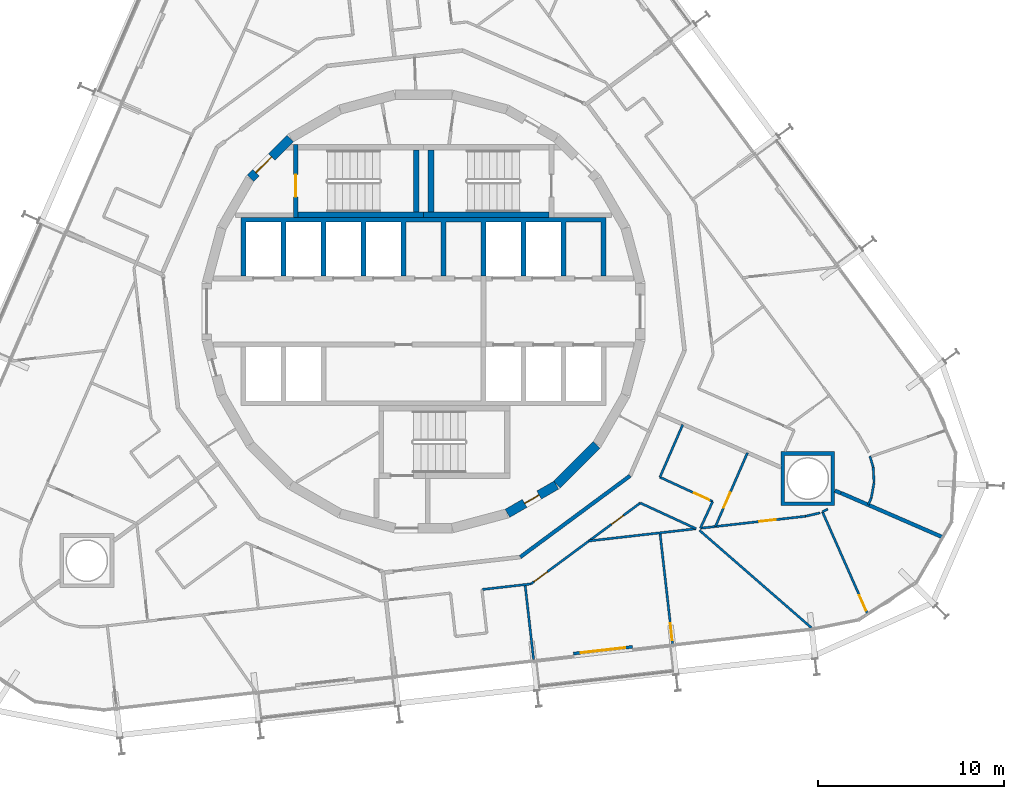
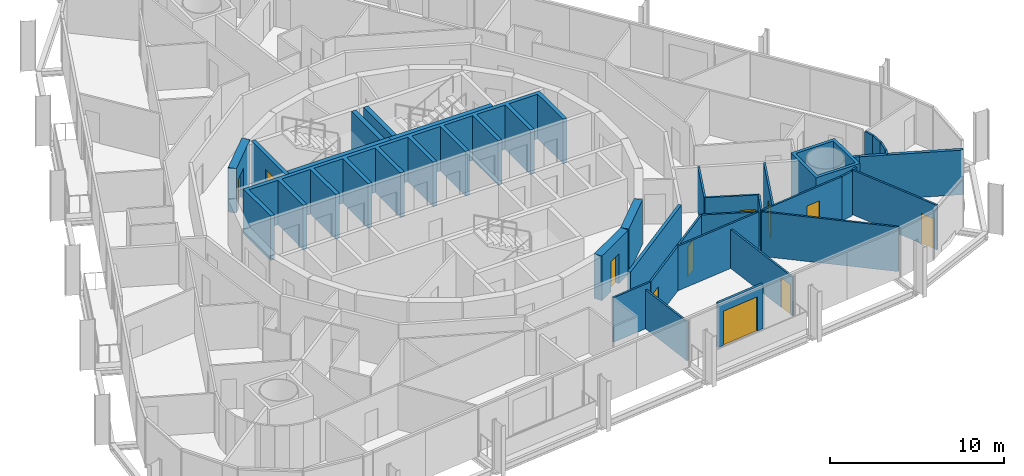
# One storey, part 16 of 21: 33 walls, 11 doors, 11 openings.
"""IFC4 building model written with IfcOpenShell, lengths in metres."""

from ifc_helpers import new_model, si_unit, direction, frame, frame_2d, origin, place, context, subcontext, project, spatial, polyline, rectangle, outline, extrude, material, layer, layer_set, type_object, element, fill, save


model = new_model("IFC4")

# Units and contexts
model_context = context("Model", 3, precision=1e-05, world=origin(), true_north=direction((0.0, 1.0)))
body_context = subcontext(model_context, "Body", "Model", "MODEL_VIEW")
ifc_project = project(units=[si_unit("LENGTHUNIT", "METRE"), si_unit("AREAUNIT", "SQUARE_METRE"), si_unit("VOLUMEUNIT", "CUBIC_METRE"), si_unit("PLANEANGLEUNIT", "RADIAN"), si_unit("MASSUNIT", "GRAM", prefix="KILO")], contexts=[model_context])

# Site, building, storey
site_placement = place(None, origin())
site = spatial("IfcSite", under=ifc_project, at=site_placement, CompositionType="ELEMENT")
building_placement = place(site_placement, origin())
building = spatial("IfcBuilding", under=site, at=building_placement, Name="Spindle Arch Residences", CompositionType="ELEMENT")
storey_placement = place(building_placement, frame((0.0, 0.0, 97.699951171875)))
storey = spatial("IfcBuildingStorey", under=building, at=storey_placement, Name="L23", CompositionType="ELEMENT", Elevation=97.699951171875)

# Wall, opening, door
ifc_material_1 = material(Name="Concrete C50/60", Category="concrete")
ifc_layer_1 = layer(ifc_material_1, 0.5)
ifc_layer_set_1 = layer_set([ifc_layer_1], Name="Core outline wall 500")
wall_type_1 = type_object("IfcWallType", Name="Core outline wall 500", PredefinedType="SHEAR", material=ifc_layer_set_1)
wall_1_placement = place(storey_placement, frame((4.510498046875, -10.84521484375, 0.0), z_axis=(0.0, 0.0, 1.0), x_axis=(0.865975092491, 0.500087131594, 0.0)))
wall_1 = element("IfcWall", 1, at=wall_1_placement, inside=storey, type_object=wall_type_1, Name="Core outline wall 2", PredefinedType="SHEAR", context=body_context, shape_type="SweptSolid", body=[
    extrude(rectangle(XDim=3.03271484375, YDim=0.5, at=frame_2d((1.516357421875, 0.0))), origin(), (0.0, 0.0, 1.0), 3.1201171875),
])
opening_1_placement = place(wall_1_placement, frame((1.06640625, 0.0, 0.0)))
opening_1 = element("IfcOpeningElement", 2, at=opening_1_placement, cuts=wall_1, Name="Opening R2C0-WD08", PredefinedType="OPENING", context=body_context, shape_type="SweptSolid", body=[
    extrude(rectangle(XDim=0.89990234375, YDim=2.10009765625, at=frame_2d((0.449951171875, 1.050048828125))), frame((0.0, 0.260009765625, 0.0), z_axis=(0.0, -1.0, 0.0), x_axis=(1.0, 0.0, 0.0)), (0.0, 0.0, 1.0), 0.52001953125),
])
ifc_material_2 = material(Name="Steel, fire-resisting door", Category="steel")
door_type_1 = type_object("IfcDoorType", Name="Service room door 900x2100", OperationType="SINGLE_SWING_LEFT", PredefinedType="DOOR", material=ifc_material_2)
door_1_placement = place(opening_1_placement, origin())
door_1 = element("IfcDoor", 3, at=door_1_placement, inside=storey, type_object=door_type_1, Name="Service room door R2C0-WD08", OperationType="SINGLE_SWING_LEFT", OverallHeight=2.10009765625, OverallWidth=0.89990234375, PredefinedType="DOOR", context=body_context, shape_type="SweptSolid", body=[
    extrude(rectangle(XDim=0.89990234375, YDim=2.10009765625, at=frame_2d((0.449951171875, 1.050048828125))), frame((0.0, 0.02490234375, 0.0), z_axis=(0.0, -1.0, 0.0), x_axis=(1.0, 0.0, 0.0)), (0.0, 0.0, 1.0), 0.050048828125),
])
fill(opening_1, door_1)

# Wall
wall_2_placement = place(storey_placement, frame((7.163818359375, -9.30810546875, 0.0), z_axis=(0.0, 0.0, 1.0), x_axis=(0.707106781187, 0.707106781187, 0.0)))
element("IfcWall", 4, at=wall_2_placement, inside=storey, type_object=wall_type_1, Name="Core outline wall 3", PredefinedType="SHEAR", context=body_context, shape_type="SweptSolid", body=[
    extrude(rectangle(XDim=3.032470703125, YDim=0.5, at=frame_2d((1.51611328125, 0.0))), origin(), (0.0, 0.0, 1.0), 3.1201171875),
])

# Wall, opening, door
wall_3_placement = place(storey_placement, frame((-7.163818359375, 9.30810546875, 0.0), z_axis=(0.0, 0.0, 1.0), x_axis=(-0.707106781187, -0.707106781187, 0.0)))
wall_3 = element("IfcWall", 5, at=wall_3_placement, inside=storey, type_object=wall_type_1, Name="Core outline wall 15", PredefinedType="SHEAR", context=body_context, shape_type="SweptSolid", body=[
    extrude(rectangle(XDim=3.032470703125, YDim=0.5, at=frame_2d((1.51611328125, 0.0))), origin(), (0.0, 0.0, 1.0), 3.1201171875),
])
opening_2_placement = place(wall_3_placement, frame((1.416259765625, 0.0, 0.0)))
opening_2 = element("IfcOpeningElement", 6, at=opening_2_placement, cuts=wall_3, Name="Opening R2C0-AD02", PredefinedType="OPENING", context=body_context, shape_type="SweptSolid", body=[
    extrude(rectangle(XDim=1.199951171875, YDim=2.10009765625, at=frame_2d((0.60009765625, 1.050048828125))), frame((0.0, 0.260009765625, 0.0), z_axis=(0.0, -1.0, 0.0), x_axis=(1.0, 0.0, 0.0)), (0.0, 0.0, 1.0), 0.52001953125),
])
ifc_material_3 = material(Name="Steel, fire-resisting door", Category="steel")
door_type_2 = type_object("IfcDoorType", Name="Stair airlock door 1200x2100", OperationType="SINGLE_SWING_LEFT", PredefinedType="DOOR", material=ifc_material_3)
door_2_placement = place(opening_2_placement, origin())
door_2 = element("IfcDoor", 7, at=door_2_placement, inside=storey, type_object=door_type_2, Name="Stair airlock door R2C0-AD02", OperationType="SINGLE_SWING_RIGHT", OverallHeight=2.10009765625, OverallWidth=1.199951171875, PredefinedType="DOOR", context=body_context, shape_type="SweptSolid", body=[
    extrude(rectangle(XDim=1.199951171875, YDim=2.10009765625, at=frame_2d((0.60009765625, 1.050048828125))), frame((0.0, 0.02490234375, 0.0), z_axis=(0.0, -1.0, 0.0), x_axis=(1.0, 0.0, 0.0)), (0.0, 0.0, 1.0), 0.050048828125),
])
fill(opening_2, door_2)

# Walls
ifc_material_4 = material(Name="Calcium silicate block, plastered")
ifc_layer_2 = layer(ifc_material_4, 0.199951171875)
ifc_layer_set_2 = layer_set([ifc_layer_2], Name="Corridor wall 200")
wall_type_2 = type_object("IfcWallType", Name="Corridor wall 200", PredefinedType="STANDARD", material=ifc_layer_set_2)
wall_4_placement = place(storey_placement, frame((5.1982421875, -13.1962890625, 0.0), z_axis=(0.0, 0.0, 1.0), x_axis=(0.803869883159, 0.594805187394, 0.0)))
element("IfcWall", 8, at=wall_4_placement, inside=storey, type_object=wall_type_2, Name="Corridor wall R2C0-W015", PredefinedType="STANDARD", context=body_context, shape_type="SweptSolid", body=[
    extrude(rectangle(XDim=7.341796875, YDim=0.199951171875, at=frame_2d((3.6708984375, 0.0))), origin(), (0.0, 0.0, 1.0), 3.1201171875),
])
ifc_material_5 = material(Name="Plasterboard on steel studs", Category="steel")
ifc_layer_3 = layer(ifc_material_5, 0.1201171875)
ifc_layer_set_3 = layer_set([ifc_layer_3], Name="Flat partition 120")
wall_type_3 = type_object("IfcWallType", Name="Flat partition 120", PredefinedType="PARTITIONING", material=ifc_layer_set_3)
wall_5_placement = place(storey_placement, frame((23.989501953125, -7.77490234375, 0.0), z_axis=(0.0, 0.0, 1.0), x_axis=(0.284088329691, -0.958798112708, 0.0)))
element("IfcWall", 9, at=wall_5_placement, inside=storey, type_object=wall_type_3, Name="Flat partition R2C0-W042", PredefinedType="PARTITIONING", context=body_context, shape_type="SweptSolid", body=[
    extrude(rectangle(XDim=0.61865234375, YDim=0.1201171875, at=frame_2d((0.309326171875, 0.0))), origin(), (0.0, 0.0, 1.0), 3.1201171875),
])
for number, where, z_axis, x_axis, name in (
    (10, (24.165283203125, -8.3681640625, 0.0), (0.0, 0.0, 1.0), (0.055078507089, -0.998482026907, 0.0), "Flat partition R2C0-W043"),
    (11, (24.2109375, -9.19580078125, 0.0), (0.0, 0.0, 1.0), (-0.176422619083, -0.984314512479, 0.0), "Flat partition R2C0-W044"),
):
    element("IfcWall", number, at=place(storey_placement, frame(where, z_axis=z_axis, x_axis=x_axis)), inside=storey, type_object=wall_type_3, Name=name, PredefinedType="PARTITIONING", context=body_context, shape_type="SweptSolid", body=[
        extrude(rectangle(XDim=0.828857421875, YDim=0.1201171875, at=frame_2d((0.41455078125, 0.0))), origin(), (0.0, 0.0, 1.0), 3.1201171875),
    ])
wall_6_placement = place(storey_placement, frame((24.064697265625, -10.01171875, 0.0), z_axis=(0.0, 0.0, 1.0), x_axis=(-0.398747648376, -0.917060692056, 0.0)))
element("IfcWall", 12, at=wall_6_placement, inside=storey, type_object=wall_type_3, Name="Flat partition R2C0-W045", PredefinedType="PARTITIONING", context=body_context, shape_type="SweptSolid", body=[
    extrude(rectangle(XDim=0.41455078125, YDim=0.1201171875, at=frame_2d((0.207275390625, 0.0))), origin(), (0.0, 0.0, 1.0), 3.1201171875),
])
wall_7_placement = place(storey_placement, frame((3.1376953125, -14.94091796875, 0.0), z_axis=(0.0, 0.0, 1.0), x_axis=(0.99356355736, 0.113276023437, 0.0)))
element("IfcWall", 13, at=wall_7_placement, inside=storey, type_object=wall_type_3, Name="Flat partition R2C0-W116", PredefinedType="PARTITIONING", context=body_context, shape_type="SweptSolid", body=[
    extrude(rectangle(XDim=2.646728515625, YDim=0.1201171875, at=frame_2d((1.3232421875, 0.0))), origin(), (0.0, 0.0, 1.0), 3.1201171875),
])

# Wall, openings, doors
wall_8_placement = place(storey_placement, frame((5.767333984375, -14.64111328125, 0.0), z_axis=(0.0, 0.0, 1.0), x_axis=(0.803867427863, 0.594808505673, 0.0)))
wall_8 = element("IfcWall", 14, at=wall_8_placement, inside=storey, type_object=wall_type_3, Name="Flat partition R2C0-W117", PredefinedType="PARTITIONING", context=body_context, shape_type="SweptSolid", body=[
    extrude(rectangle(XDim=7.31640625, YDim=0.1201171875, at=frame_2d((3.658203125, 0.0))), origin(), (0.0, 0.0, 1.0), 3.1201171875),
])
opening_3_placement = place(wall_8_placement, frame((0.199951171875, 0.0, 0.0)))
opening_3 = element("IfcOpeningElement", 15, at=opening_3_placement, cuts=wall_8, Name="Opening R2C0-ID33", PredefinedType="OPENING", context=body_context, shape_type="SweptSolid", body=[
    extrude(rectangle(XDim=0.89990234375, YDim=2.10009765625, at=frame_2d((0.449951171875, 1.050048828125))), frame((0.0, 0.070068359375, 0.0), z_axis=(0.0, -1.0, 0.0), x_axis=(1.0, 0.0, 0.0)), (0.0, 0.0, 1.0), 0.14013671875),
])
opening_4_placement = place(wall_8_placement, frame((5.385009765625, 0.0, 0.0)))
opening_4 = element("IfcOpeningElement", 16, at=opening_4_placement, cuts=wall_8, Name="Opening R2C0-BD06", PredefinedType="OPENING", context=body_context, shape_type="SweptSolid", body=[
    extrude(rectangle(XDim=0.800048828125, YDim=2.10009765625, at=frame_2d((0.39990234375, 1.050048828125))), frame((0.0, 0.070068359375, 0.0), z_axis=(0.0, -1.0, 0.0), x_axis=(1.0, 0.0, 0.0)), (0.0, 0.0, 1.0), 0.14013671875),
])
ifc_material_6 = material(Name="Timber door set", Category="wood")
door_type_3 = type_object("IfcDoorType", Name="Bathroom door 800x2100", OperationType="NOTDEFINED", PredefinedType="DOOR", material=ifc_material_6)
door_3_placement = place(opening_4_placement, origin())
door_3 = element("IfcDoor", 17, at=door_3_placement, inside=storey, type_object=door_type_3, Name="Bathroom door R2C0-BD06", OperationType="SINGLE_SWING_RIGHT", OverallHeight=2.10009765625, OverallWidth=0.800048828125, PredefinedType="DOOR", context=body_context, shape_type="SweptSolid", body=[
    extrude(rectangle(XDim=0.800048828125, YDim=2.10009765625, at=frame_2d((0.39990234375, 1.050048828125))), frame((0.0, 0.02490234375, 0.0), z_axis=(0.0, -1.0, 0.0), x_axis=(1.0, 0.0, 0.0)), (0.0, 0.0, 1.0), 0.050048828125),
])
fill(opening_4, door_3)
ifc_material_7 = material(Name="Timber door set", Category="wood")
door_type_4 = type_object("IfcDoorType", Name="Room door 900x2100", OperationType="NOTDEFINED", PredefinedType="DOOR", material=ifc_material_7)
door_4_placement = place(opening_3_placement, origin())
door_4 = element("IfcDoor", 18, at=door_4_placement, inside=storey, type_object=door_type_4, Name="Room door R2C0-ID33", OperationType="SINGLE_SWING_RIGHT", OverallHeight=2.10009765625, OverallWidth=0.89990234375, PredefinedType="DOOR", context=body_context, shape_type="SweptSolid", body=[
    extrude(rectangle(XDim=0.89990234375, YDim=2.10009765625, at=frame_2d((0.449951171875, 1.050048828125))), frame((0.0, 0.02490234375, 0.0), z_axis=(0.0, -1.0, 0.0), x_axis=(1.0, 0.0, 0.0)), (0.0, 0.0, 1.0), 0.050048828125),
])
fill(opening_3, door_4)

# Walls
wall_9_placement = place(storey_placement, frame((11.648681640625, -10.289306640625, 0.0), z_axis=(0.0, 0.0, 1.0), x_axis=(0.9079269461, -0.419128453514, 0.0)))
element("IfcWall", 19, at=wall_9_placement, inside=storey, type_object=wall_type_3, Name="Flat partition R2C0-W118", PredefinedType="PARTITIONING", context=body_context, shape_type="SweptSolid", body=[
    extrude(rectangle(XDim=3.304443359375, YDim=0.1201171875, at=frame_2d((1.65234375, 0.0))), origin(), (0.0, 0.0, 1.0), 3.1201171875),
])
wall_10_placement = place(storey_placement, frame((14.87548828125, -11.6484375, 0.0), z_axis=(0.0, 0.0, 1.0), x_axis=(0.419087543301, 0.90794583046, 0.0)))
element("IfcWall", 20, at=wall_10_placement, inside=storey, type_object=wall_type_3, Name="Flat partition R2C0-W119", PredefinedType="PARTITIONING", context=body_context, shape_type="SweptSolid", body=[
    extrude(rectangle(XDim=1.58154296875, YDim=0.1201171875, at=frame_2d((0.790771484375, 0.0))), origin(), (0.0, 0.0, 1.0), 3.1201171875),
])

# Wall, opening, door
wall_11_placement = place(storey_placement, frame((15.538330078125, -10.21240234375, 0.0), z_axis=(0.0, 0.0, 1.0), x_axis=(-0.907941075756, 0.419097844131, 0.0)))
wall_11 = element("IfcWall", 21, at=wall_11_placement, inside=storey, type_object=wall_type_3, Name="Flat partition R2C0-W120", PredefinedType="PARTITIONING", context=body_context, shape_type="SweptSolid", body=[
    extrude(rectangle(XDim=3.122314453125, YDim=0.1201171875, at=frame_2d((1.56103515625, 0.0))), origin(), (0.0, 0.0, 1.0), 3.1201171875),
])
opening_5_placement = place(wall_11_placement, frame((0.199951171875, 0.0, 0.0)))
opening_5 = element("IfcOpeningElement", 22, at=opening_5_placement, cuts=wall_11, Name="Opening R2C0-ID34", PredefinedType="OPENING", context=body_context, shape_type="SweptSolid", body=[
    extrude(rectangle(XDim=0.89990234375, YDim=2.10009765625, at=frame_2d((0.449951171875, 1.050048828125))), frame((0.0, 0.070068359375, 0.0), z_axis=(0.0, -1.0, 0.0), x_axis=(1.0, 0.0, 0.0)), (0.0, 0.0, 1.0), 0.14013671875),
])
door_5_placement = place(opening_5_placement, origin())
door_5 = element("IfcDoor", 23, at=door_5_placement, inside=storey, type_object=door_type_4, Name="Room door R2C0-ID34", OperationType="SINGLE_SWING_LEFT", OverallHeight=2.10009765625, OverallWidth=0.89990234375, PredefinedType="DOOR", context=body_context, shape_type="SweptSolid", body=[
    extrude(rectangle(XDim=0.89990234375, YDim=2.10009765625, at=frame_2d((0.449951171875, 1.050048828125))), frame((0.0, 0.02490234375, 0.0), z_axis=(0.0, -1.0, 0.0), x_axis=(1.0, 0.0, 0.0)), (0.0, 0.0, 1.0), 0.050048828125),
])
fill(opening_5, door_5)

# Walls
wall_12_placement = place(storey_placement, frame((12.703369140625, -8.90380859375, 0.0), z_axis=(0.0, 0.0, 1.0), x_axis=(0.398679720725, 0.917090224723, 0.0)))
element("IfcWall", 24, at=wall_12_placement, inside=storey, type_object=wall_type_3, Name="Flat partition R2C0-W121", PredefinedType="PARTITIONING", context=body_context, shape_type="SweptSolid", body=[
    extrude(rectangle(XDim=3.0791015625, YDim=0.1201171875, at=frame_2d((1.53955078125, 0.0))), origin(), (0.0, 0.0, 1.0), 3.1201171875),
])
wall_13_placement = place(storey_placement, frame((14.64892578125, -11.67431640625, 0.0), z_axis=(0.0, 0.0, 1.0), x_axis=(-0.993573746873, -0.113186613721, 0.0)))
element("IfcWall", 25, at=wall_13_placement, inside=storey, type_object=wall_type_3, Name="Flat partition R2C0-W123", PredefinedType="PARTITIONING", context=body_context, shape_type="SweptSolid", body=[
    extrude(rectangle(XDim=5.7958984375, YDim=0.1201171875, at=frame_2d((2.89794921875, 0.0))), origin(), (0.0, 0.0, 1.0), 3.1201171875),
])
wall_14_placement = place(storey_placement, frame((20.856201171875, -17.005859375, 0.0), z_axis=(0.0, 0.0, 1.0), x_axis=(-0.75423134567, 0.656608770281, 0.0)))
element("IfcWall", 26, at=wall_14_placement, inside=storey, type_object=wall_type_3, Name="Flat partition R2C0-W125", PredefinedType="PARTITIONING", context=body_context, shape_type="SweptSolid", body=[
    extrude(rectangle(XDim=7.995361328125, YDim=0.1201171875, at=frame_2d((3.99755859375, 0.0))), origin(), (0.0, 0.0, 1.0), 3.1201171875),
])

# Wall, opening, door
wall_15_placement = place(storey_placement, frame((20.52685546875, -11.00439453125, 0.0), z_axis=(0.0, 0.0, 1.0), x_axis=(-0.993568869194, -0.113229422712, 0.0)))
wall_15 = element("IfcWall", 27, at=wall_15_placement, inside=storey, type_object=wall_type_3, Name="Flat partition R2C0-W126", PredefinedType="PARTITIONING", context=body_context, shape_type="SweptSolid", body=[
    extrude(rectangle(XDim=5.68798828125, YDim=0.1201171875, at=frame_2d((2.843994140625, 0.0))), origin(), (0.0, 0.0, 1.0), 3.1201171875),
])
opening_6_placement = place(wall_15_placement, frame((1.60009765625, 0.0, 0.0)))
opening_6 = element("IfcOpeningElement", 28, at=opening_6_placement, cuts=wall_15, Name="Opening R2C0-ID37", PredefinedType="OPENING", context=body_context, shape_type="SweptSolid", body=[
    extrude(rectangle(XDim=0.89990234375, YDim=2.10009765625, at=frame_2d((0.449951171875, 1.050048828125))), frame((0.0, 0.070068359375, 0.0), z_axis=(0.0, -1.0, 0.0), x_axis=(1.0, 0.0, 0.0)), (0.0, 0.0, 1.0), 0.14013671875),
])
door_6_placement = place(opening_6_placement, origin())
door_6 = element("IfcDoor", 29, at=door_6_placement, inside=storey, type_object=door_type_4, Name="Room door R2C0-ID37", OperationType="SINGLE_SWING_RIGHT", OverallHeight=2.10009765625, OverallWidth=0.89990234375, PredefinedType="DOOR", context=body_context, shape_type="SweptSolid", body=[
    extrude(rectangle(XDim=0.89990234375, YDim=2.10009765625, at=frame_2d((0.449951171875, 1.050048828125))), frame((0.0, 0.02490234375, 0.0), z_axis=(0.0, -1.0, 0.0), x_axis=(1.0, 0.0, 0.0)), (0.0, 0.0, 1.0), 0.050048828125),
])
fill(opening_6, door_6)

# Wall
wall_16_placement = place(storey_placement, frame((21.3125, -10.82080078125, 0.0), z_axis=(0.0, 0.0, 1.0), x_axis=(-0.973765266404, -0.227554841621, 0.0)))
element("IfcWall", 30, at=wall_16_placement, inside=storey, type_object=wall_type_3, Name="Flat partition R2C0-W127", PredefinedType="PARTITIONING", context=body_context, shape_type="SweptSolid", body=[
    extrude(rectangle(XDim=0.806884765625, YDim=0.1201171875, at=frame_2d((0.4033203125, 0.0))), origin(), (0.0, 0.0, 1.0), 3.1201171875),
])

# Wall, opening, door
wall_17_placement = place(storey_placement, frame((23.863525390625, -16.253173828125, 0.0), z_axis=(0.0, 0.0, 1.0), x_axis=(-0.404274566917, 0.914637673915, 0.0)))
wall_17 = element("IfcWall", 31, at=wall_17_placement, inside=storey, type_object=wall_type_3, Name="Flat partition R2C0-W128", PredefinedType="PARTITIONING", context=body_context, shape_type="SweptSolid", body=[
    extrude(rectangle(XDim=6.00634765625, YDim=0.1201171875, at=frame_2d((3.003173828125, 0.0))), origin(), (0.0, 0.0, 1.0), 3.1201171875),
])
opening_7_placement = place(wall_17_placement, frame((0.199951171875, 0.0, 0.0)))
opening_7 = element("IfcOpeningElement", 32, at=opening_7_placement, cuts=wall_17, Name="Opening R2C0-ID38", PredefinedType="OPENING", context=body_context, shape_type="SweptSolid", body=[
    extrude(rectangle(XDim=0.89990234375, YDim=2.10009765625, at=frame_2d((0.449951171875, 1.050048828125))), frame((0.0, 0.070068359375, 0.0), z_axis=(0.0, -1.0, 0.0), x_axis=(1.0, 0.0, 0.0)), (0.0, 0.0, 1.0), 0.14013671875),
])
door_7_placement = place(opening_7_placement, origin())
door_7 = element("IfcDoor", 33, at=door_7_placement, inside=storey, type_object=door_type_4, Name="Room door R2C0-ID38", OperationType="SINGLE_SWING_RIGHT", OverallHeight=2.10009765625, OverallWidth=0.89990234375, PredefinedType="DOOR", context=body_context, shape_type="SweptSolid", body=[
    extrude(rectangle(XDim=0.89990234375, YDim=2.10009765625, at=frame_2d((0.449951171875, 1.050048828125))), frame((0.0, 0.02490234375, 0.0), z_axis=(0.0, -1.0, 0.0), x_axis=(1.0, 0.0, 0.0)), (0.0, 0.0, 1.0), 0.050048828125),
])
fill(opening_7, door_7)

wall_18_placement = place(storey_placement, frame((15.685546875, -11.55615234375, 0.0), z_axis=(0.0, 0.0, 1.0), x_axis=(0.398740569839, 0.917063769846, 0.0)))
wall_18 = element("IfcWall", 34, at=wall_18_placement, inside=storey, type_object=wall_type_3, Name="Flat partition R2C0-W129", PredefinedType="PARTITIONING", context=body_context, shape_type="SweptSolid", body=[
    extrude(rectangle(XDim=4.322021484375, YDim=0.1201171875, at=frame_2d((2.1611328125, 0.0))), origin(), (0.0, 0.0, 1.0), 3.1201171875),
])
opening_8_placement = place(wall_18_placement, frame((1.10009765625, 0.0, 0.0)))
opening_8 = element("IfcOpeningElement", 35, at=opening_8_placement, cuts=wall_18, Name="Opening R2C0-ID35", PredefinedType="OPENING", context=body_context, shape_type="SweptSolid", body=[
    extrude(rectangle(XDim=0.89990234375, YDim=2.10009765625, at=frame_2d((0.449951171875, 1.050048828125))), frame((0.0, 0.070068359375, 0.0), z_axis=(0.0, -1.0, 0.0), x_axis=(1.0, 0.0, 0.0)), (0.0, 0.0, 1.0), 0.14013671875),
])
door_8_placement = place(opening_8_placement, origin())
door_8 = element("IfcDoor", 36, at=door_8_placement, inside=storey, type_object=door_type_4, Name="Room door R2C0-ID35", OperationType="SINGLE_SWING_RIGHT", OverallHeight=2.10009765625, OverallWidth=0.89990234375, PredefinedType="DOOR", context=body_context, shape_type="SweptSolid", body=[
    extrude(rectangle(XDim=0.89990234375, YDim=2.10009765625, at=frame_2d((0.449951171875, 1.050048828125))), frame((0.0, 0.02490234375, 0.0), z_axis=(0.0, -1.0, 0.0), x_axis=(1.0, 0.0, 0.0)), (0.0, 0.0, 1.0), 0.050048828125),
])
fill(opening_8, door_8)

# Walls
wall_19_placement = place(storey_placement, frame((21.435302734375, -10.759521484375, 0.0), z_axis=(0.0, 0.0, 1.0), x_axis=(0.895041493646, 0.445982874841, 0.0)))
element("IfcWall", 37, at=wall_19_placement, inside=storey, type_object=wall_type_3, Name="Flat partition R2C0-W130", PredefinedType="PARTITIONING", context=body_context, shape_type="SweptSolid", body=[
    extrude(rectangle(XDim=0.3173828125, YDim=0.1201171875, at=frame_2d((0.15869140625, 0.0))), origin(), (0.0, 0.0, 1.0), 3.1201171875),
])
ifc_material_8 = material(Name="Plasterboard on steel studs", Category="steel")
ifc_layer_4 = layer(ifc_material_8, 0.1201171875)
ifc_layer_set_4 = layer_set([ifc_layer_4], Name="Flat partition 120 under beam 2730")
wall_type_4 = type_object("IfcWallType", Name="Flat partition 120 under beam 2730", PredefinedType="PARTITIONING", material=ifc_layer_set_4)
wall_20_placement = place(storey_placement, frame((5.915283203125, -18.7080078125, 0.0), z_axis=(0.0, 0.0, 1.0), x_axis=(-0.113244511591, 0.993567149515, 0.0)))
element("IfcWall", 38, at=wall_20_placement, inside=storey, type_object=wall_type_4, Name="Flat partition R2C0-W122", PredefinedType="PARTITIONING", context=body_context, shape_type="SweptSolid", body=[
    extrude(rectangle(XDim=4.057373046875, YDim=0.1201171875, at=frame_2d((2.02880859375, 0.0))), origin(), (0.0, 0.0, 1.0), 2.72998046875),
])

# Wall, opening, door
wall_21_placement = place(storey_placement, frame((13.3857421875, -17.85693359375, 0.0), z_axis=(0.0, 0.0, 1.0), x_axis=(-0.113200012983, 0.993572220355, 0.0)))
wall_21 = element("IfcWall", 39, at=wall_21_placement, inside=storey, type_object=wall_type_4, Name="Flat partition R2C0-W124", PredefinedType="PARTITIONING", context=body_context, shape_type="SweptSolid", body=[
    extrude(rectangle(XDim=6.0, YDim=0.1201171875, at=frame_2d((3.0, 0.0))), origin(), (0.0, 0.0, 1.0), 2.72998046875),
])
opening_9_placement = place(wall_21_placement, frame((0.199951171875, 0.0, 0.0)))
opening_9 = element("IfcOpeningElement", 40, at=opening_9_placement, cuts=wall_21, Name="Opening R2C0-ID36", PredefinedType="OPENING", context=body_context, shape_type="SweptSolid", body=[
    extrude(rectangle(XDim=0.89990234375, YDim=2.10009765625, at=frame_2d((0.449951171875, 1.050048828125))), frame((0.0, 0.070068359375, 0.0), z_axis=(0.0, -1.0, 0.0), x_axis=(1.0, 0.0, 0.0)), (0.0, 0.0, 1.0), 0.14013671875),
])
door_9_placement = place(opening_9_placement, origin())
door_9 = element("IfcDoor", 41, at=door_9_placement, inside=storey, type_object=door_type_4, Name="Room door R2C0-ID36", OperationType="SINGLE_SWING_RIGHT", OverallHeight=2.10009765625, OverallWidth=0.89990234375, PredefinedType="DOOR", context=body_context, shape_type="SweptSolid", body=[
    extrude(rectangle(XDim=0.89990234375, YDim=2.10009765625, at=frame_2d((0.449951171875, 1.050048828125))), frame((0.0, 0.02490234375, 0.0), z_axis=(0.0, -1.0, 0.0), x_axis=(1.0, 0.0, 0.0)), (0.0, 0.0, 1.0), 0.050048828125),
])
fill(opening_9, door_9)

# Walls
ifc_material_9 = material(Name="Calcium silicate block, plastered")
ifc_layer_5 = layer(ifc_material_9, 0.199951171875)
ifc_layer_set_5 = layer_set([ifc_layer_5], Name="Flat party wall 200")
wall_type_5 = type_object("IfcWallType", Name="Flat party wall 200", PredefinedType="STANDARD", material=ifc_layer_set_5)
wall_22_placement = place(storey_placement, frame((22.43212890625, -9.75390625, 0.0), z_axis=(0.0, 0.0, 1.0), x_axis=(0.917071996944, -0.398721647797, 0.0)))
element("IfcWall", 42, at=wall_22_placement, inside=storey, type_object=wall_type_5, Name="Flat party wall R2C0-W018", PredefinedType="STANDARD", context=body_context, shape_type="SweptSolid", body=[
    extrude(rectangle(XDim=6.0, YDim=0.199951171875, at=frame_2d((3.0, 0.0))), origin(), (0.0, 0.0, 1.0), 3.1201171875),
])
wall_23_placement = place(storey_placement, frame((22.107666015625, -9.62353515625, 0.0), z_axis=(0.0, 0.0, 1.0), x_axis=(0.917036741673, -0.398802726196, 0.0)))
element("IfcWall", 43, at=wall_23_placement, inside=storey, type_object=wall_type_5, Name="Flat party wall R2C0-W019", PredefinedType="STANDARD", context=body_context, shape_type="SweptSolid", body=[
    extrude(rectangle(XDim=0.349609375, YDim=0.199951171875, at=frame_2d((0.1748046875, 0.0))), origin(), (0.0, 0.0, 1.0), 3.1201171875),
])

# Wall, opening, door
ifc_material_10 = material(Name="Non-combustible mineral wool insulated aluminium faced external wall (K0)", Category="aluminium")
ifc_layer_6 = layer(ifc_material_10, 0.159912109375)
ifc_layer_set_6 = layer_set([ifc_layer_6], Name="Insulated external wall panel 160")
wall_type_6 = type_object("IfcWallType", Name="Insulated external wall panel 160", PredefinedType="STANDARD", material=ifc_layer_set_6)
wall_24_placement = place(storey_placement, frame((8.0517578125, -18.38427734375, 0.0), z_axis=(0.0, 0.0, 1.0), x_axis=(0.993569997097, 0.113219525124, 0.0)))
wall_24 = element("IfcWall", 44, at=wall_24_placement, inside=storey, type_object=wall_type_6, Name="External wall L23 bay 1", PredefinedType="STANDARD", context=body_context, shape_type="SweptSolid", body=[
    extrude(rectangle(XDim=3.199951171875, YDim=0.159912109375, at=frame_2d((1.60009765625, 0.0))), origin(), (0.0, 0.0, 1.0), 3.1201171875),
])
opening_10_placement = place(wall_24_placement, frame((0.39990234375, 0.0, 0.0)))
opening_10 = element("IfcOpeningElement", 45, at=opening_10_placement, cuts=wall_24, Name="Opening BD01", PredefinedType="OPENING", context=body_context, shape_type="SweptSolid", body=[
    extrude(rectangle(XDim=2.39990234375, YDim=2.39990234375, at=frame_2d((1.199951171875, 1.199951171875))), frame((0.0, 0.08984375, 0.0), z_axis=(0.0, -1.0, 0.0), x_axis=(1.0, 0.0, 0.0)), (0.0, 0.0, 1.0), 0.179931640625),
])
ifc_material_11 = material(Name="Bronze aluminium frame, tinted double glazing", Category="aluminium")
door_type_5 = type_object("IfcDoorType", Name="Sliding glazed balcony door 2400x2400", OperationType="DOUBLE_DOOR_SLIDING", PredefinedType="DOOR", material=ifc_material_11)
door_10_placement = place(opening_10_placement, origin())
door_10 = element("IfcDoor", 46, at=door_10_placement, inside=storey, type_object=door_type_5, Name="Balcony door BD01", OperationType="DOUBLE_DOOR_SLIDING", OverallHeight=2.39990234375, OverallWidth=2.39990234375, PredefinedType="DOOR", context=body_context, shape_type="SweptSolid", body=[
    extrude(rectangle(XDim=2.39990234375, YDim=2.39990234375, at=frame_2d((1.199951171875, 1.199951171875))), frame((0.0, 0.02490234375, 0.0), z_axis=(0.0, -1.0, 0.0), x_axis=(1.0, 0.0, 0.0)), (0.0, 0.0, 1.0), 0.050048828125),
])
fill(opening_10, door_10)

# Walls
ifc_material_12 = material(Name="Concrete C50/60", Category="concrete")
wall_type_7 = type_object("IfcWallType", Name="Lift shaft wall profile", PredefinedType="SHEAR", material=ifc_material_12)
wall_25_placement = place(storey_placement, origin())
element("IfcWall", 47, at=wall_25_placement, inside=storey, type_object=wall_type_7, Name="Lift shaft walls N", PredefinedType="SHEAR", context=body_context, shape_type="SweptSolid", body=[
    extrude(outline(polyline([(-9.550048828125, 4.800048828125), (-7.64990234375, 4.800048828125), (-7.64990234375, 1.89990234375), (-7.39990234375, 1.89990234375), (-7.39990234375, 4.800048828125), (-5.5, 4.800048828125), (-5.5, 1.89990234375), (-5.25, 1.89990234375), (-5.25, 4.800048828125), (-3.35009765625, 4.800048828125), (-3.35009765625, 1.89990234375), (-3.10009765625, 1.89990234375), (-3.10009765625, 4.800048828125), (-1.199951171875, 4.800048828125), (-1.199951171875, 1.89990234375), (-0.949951171875, 1.89990234375), (-0.949951171875, 4.800048828125), (0.949951171875, 4.800048828125), (0.949951171875, 1.89990234375), (1.199951171875, 1.89990234375), (1.199951171875, 4.800048828125), (3.10009765625, 4.800048828125), (3.10009765625, 1.89990234375), (3.35009765625, 1.89990234375), (3.35009765625, 4.800048828125), (5.25, 4.800048828125), (5.25, 1.89990234375), (5.5, 1.89990234375), (5.5, 4.800048828125), (7.39990234375, 4.800048828125), (7.39990234375, 1.89990234375), (7.64990234375, 1.89990234375), (7.64990234375, 4.800048828125), (9.550048828125, 4.800048828125), (9.550048828125, 1.89990234375), (9.800048828125, 1.89990234375), (9.800048828125, 4.800048828125), (9.800048828125, 5.050048828125), (-9.800048828125, 5.050048828125), (-9.800048828125, 4.800048828125), (-9.800048828125, 1.89990234375), (-9.550048828125, 1.89990234375), (-9.550048828125, 4.800048828125)])), origin(), (0.0, 0.0, 1.0), 3.1201171875),
])
ifc_material_13 = material(Name="Calcium silicate block, plastered")
ifc_layer_7 = layer(ifc_material_13, 0.199951171875)
ifc_layer_set_7 = layer_set([ifc_layer_7], Name="Mega-column casing wall 200")
wall_type_8 = type_object("IfcWallType", Name="Mega-column casing wall 200", PredefinedType="STANDARD", material=ifc_layer_set_7)
wall_26_placement = place(storey_placement, origin())
element("IfcWall", 48, at=wall_26_placement, inside=storey, type_object=wall_type_8, Name="Mega-column casing wall R2C0-WC03", PredefinedType="STANDARD", context=body_context, shape_type="SweptSolid", body=[
    extrude(outline(polyline([(22.09765625, -7.52783203125), (22.09765625, -10.427734375), (19.197509765625, -10.427734375), (19.197509765625, -7.52783203125), (22.09765625, -7.52783203125)]), holes=[polyline([(19.397705078125, -10.227783203125), (21.897705078125, -10.227783203125), (21.897705078125, -7.727783203125), (19.397705078125, -7.727783203125), (19.397705078125, -10.227783203125)])]), origin(), (0.0, 0.0, 1.0), 3.1201171875),
])

# Wall, opening, door
ifc_material_14 = material(Name="Concrete C50/60", Category="concrete")
ifc_layer_8 = layer(ifc_material_14, 0.25)
ifc_layer_set_8 = layer_set([ifc_layer_8], Name="Stair enclosure wall 250")
wall_type_9 = type_object("IfcWallType", Name="Stair enclosure wall 250", PredefinedType="SHEAR", material=ifc_layer_set_8)
wall_27_placement = place(storey_placement, frame((-6.875, 8.969970703125, 0.0), z_axis=(0.0, 0.0, 1.0), x_axis=(0.0, -1.0, 0.0)))
wall_27 = element("IfcWall", 49, at=wall_27_placement, inside=storey, type_object=wall_type_9, Name="Stair ST-2 door wall", PredefinedType="SHEAR", context=body_context, shape_type="SweptSolid", body=[
    extrude(rectangle(XDim=3.919921875, YDim=0.25, at=frame_2d((1.9599609375, 0.0))), origin(), (0.0, 0.0, 1.0), 3.1201171875),
])
opening_11_placement = place(wall_27_placement, frame((1.610107421875, 0.0, 0.0)))
opening_11 = element("IfcOpeningElement", 50, at=opening_11_placement, cuts=wall_27, Name="Opening R2C0-SD02", PredefinedType="OPENING", context=body_context, shape_type="SweptSolid", body=[
    extrude(rectangle(XDim=1.199951171875, YDim=2.10009765625, at=frame_2d((0.60009765625, 1.050048828125))), frame((0.0, 0.135009765625, 0.0), z_axis=(0.0, -1.0, 0.0), x_axis=(1.0, 0.0, 0.0)), (0.0, 0.0, 1.0), 0.27001953125),
])
ifc_material_15 = material(Name="Steel, fire-resisting door", Category="steel")
door_type_6 = type_object("IfcDoorType", Name="Stair door 1200x2100", OperationType="SINGLE_SWING_RIGHT", PredefinedType="DOOR", material=ifc_material_15)
door_11_placement = place(opening_11_placement, origin())
door_11 = element("IfcDoor", 51, at=door_11_placement, inside=storey, type_object=door_type_6, Name="Stair door R2C0-SD02", OperationType="SINGLE_SWING_LEFT", OverallHeight=2.10009765625, OverallWidth=1.199951171875, PredefinedType="DOOR", context=body_context, shape_type="SweptSolid", body=[
    extrude(rectangle(XDim=1.199951171875, YDim=2.10009765625, at=frame_2d((0.60009765625, 1.050048828125))), frame((0.0, 0.02490234375, 0.0), z_axis=(0.0, -1.0, 0.0), x_axis=(1.0, 0.0, 0.0)), (0.0, 0.0, 1.0), 0.050048828125),
])
fill(opening_11, door_11)

# Walls
ifc_material_16 = material(Name="Concrete C50/60", Category="concrete")
ifc_layer_9 = layer(ifc_material_16, 0.300048828125)
ifc_layer_set_9 = layer_set([ifc_layer_9], Name="Stair enclosure wall 300")
wall_type_10 = type_object("IfcWallType", Name="Stair enclosure wall 300", PredefinedType="SHEAR", material=ifc_layer_set_9)
wall_28_placement = place(storey_placement, frame((0.0, 5.199951171875, 0.0), z_axis=(0.0, 0.0, 1.0), x_axis=(1.0, 0.0, 0.0)))
element("IfcWall", 52, at=wall_28_placement, inside=storey, type_object=wall_type_10, Name="Stair ST-1 enclosure wall S", PredefinedType="SHEAR", context=body_context, shape_type="SweptSolid", body=[
    extrude(rectangle(XDim=6.75, YDim=0.300048828125, at=frame_2d((3.375, 0.0))), origin(), (0.0, 0.0, 1.0), 3.1201171875),
])
wall_29_placement = place(storey_placement, frame((0.39990234375, 5.35009765625, 0.0), z_axis=(0.0, 0.0, 1.0), x_axis=(0.0, 1.0, 0.0)))
element("IfcWall", 53, at=wall_29_placement, inside=storey, type_object=wall_type_10, Name="Stair ST-1 enclosure wall F", PredefinedType="SHEAR", context=body_context, shape_type="SweptSolid", body=[
    extrude(rectangle(XDim=3.31982421875, YDim=0.300048828125, at=frame_2d((1.659912109375, 0.0))), origin(), (0.0, 0.0, 1.0), 3.1201171875),
])
wall_30_placement = place(storey_placement, frame((-6.75, 5.199951171875, 0.0), z_axis=(0.0, 0.0, 1.0), x_axis=(1.0, 0.0, 0.0)))
element("IfcWall", 54, at=wall_30_placement, inside=storey, type_object=wall_type_10, Name="Stair ST-2 enclosure wall S", PredefinedType="SHEAR", context=body_context, shape_type="SweptSolid", body=[
    extrude(rectangle(XDim=6.75, YDim=0.300048828125, at=frame_2d((3.375, 0.0))), origin(), (0.0, 0.0, 1.0), 3.1201171875),
])
wall_31_placement = place(storey_placement, frame((-0.39990234375, 5.35009765625, 0.0), z_axis=(0.0, 0.0, 1.0), x_axis=(0.0, 1.0, 0.0)))
element("IfcWall", 55, at=wall_31_placement, inside=storey, type_object=wall_type_10, Name="Stair ST-2 enclosure wall F", PredefinedType="SHEAR", context=body_context, shape_type="SweptSolid", body=[
    extrude(rectangle(XDim=3.31982421875, YDim=0.300048828125, at=frame_2d((1.659912109375, 0.0))), origin(), (0.0, 0.0, 1.0), 3.1201171875),
])

save(model, "model.ifc")
